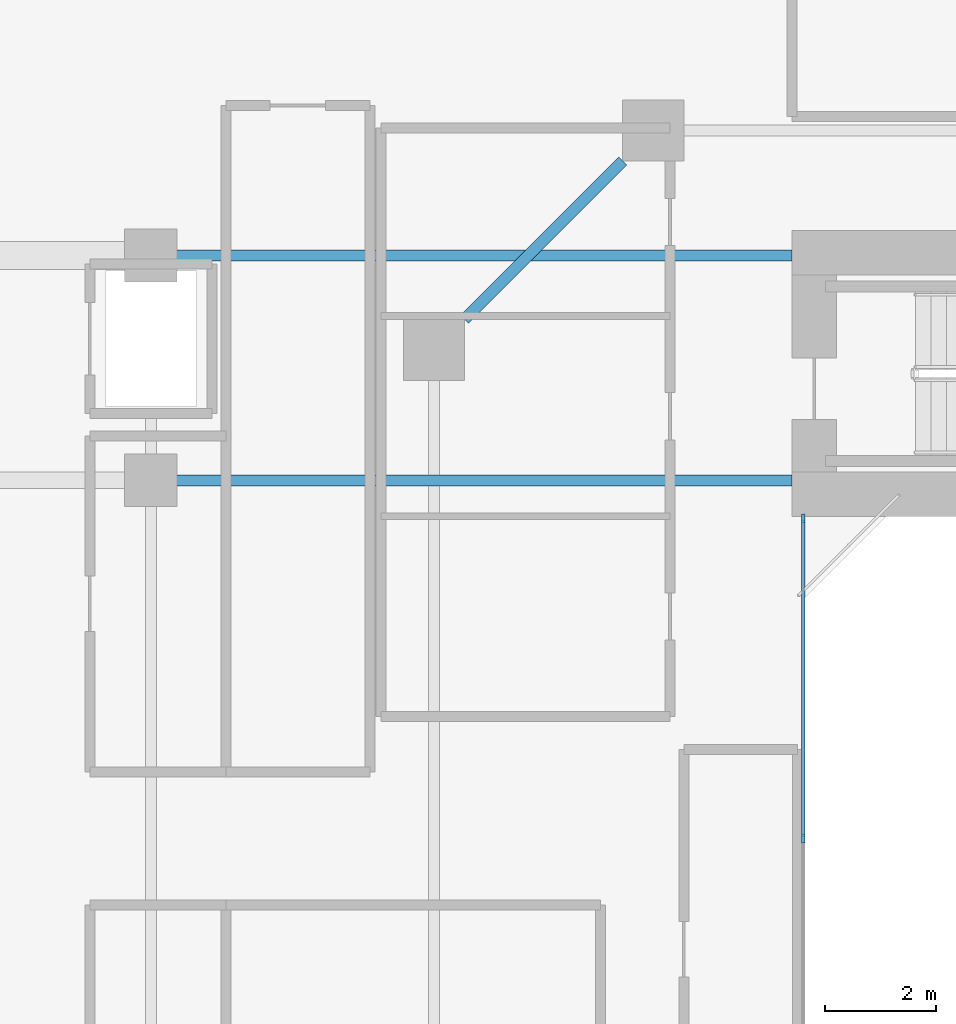
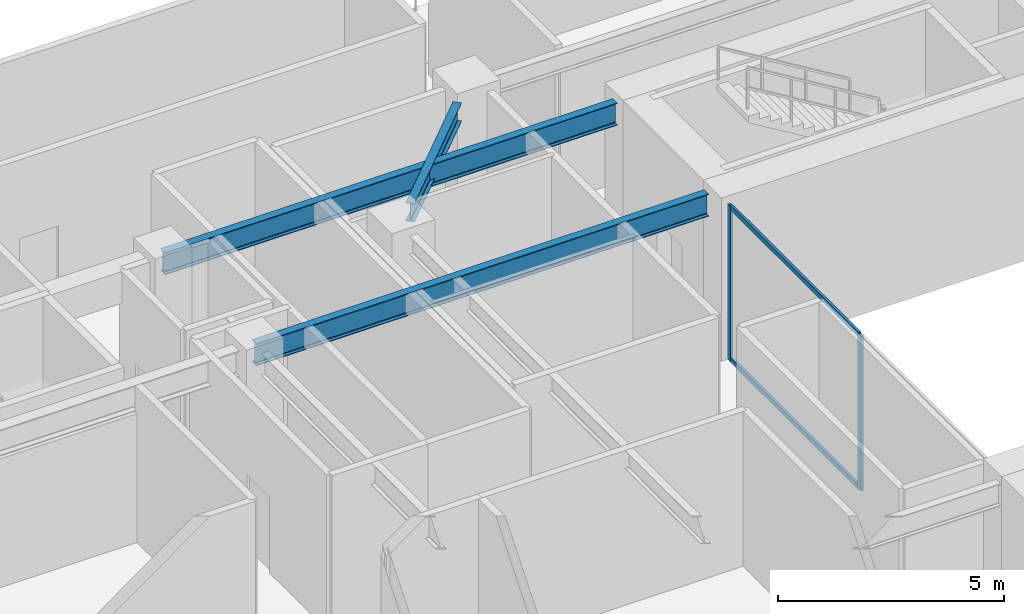
# One storey, part 6 of 19: 4 members, 3 beams, 1 element without a shape of its own.
"""IFC4 building model written with IfcOpenShell, lengths in metres."""

from ifc_helpers import new_model, si_unit, direction, frame, origin, origin_2d, place, context, subcontext, project, spatial, rectangle, i_section, extrude, source, transform, mapped, material, layer, layer_set, material_profile, profile_set, type_object, element, aggregate, save


model = new_model("IFC4")

# Units and contexts
model_context = context("Model", 3, precision=1e-05, world=origin(), true_north=direction((0.0, 1.0)))
body_context = subcontext(model_context, "Body", "Model", "MODEL_VIEW")
ifc_project = project(units=[si_unit("LENGTHUNIT", "METRE"), si_unit("AREAUNIT", "SQUARE_METRE"), si_unit("VOLUMEUNIT", "CUBIC_METRE"), si_unit("PLANEANGLEUNIT", "RADIAN"), si_unit("MASSUNIT", "GRAM", prefix="KILO"), si_unit("THERMODYNAMICTEMPERATUREUNIT", "KELVIN"), si_unit("POWERUNIT", "WATT")], contexts=[model_context])

# Site, building, storey
site_placement = place(None, origin())
site = spatial("IfcSite", under=ifc_project, at=site_placement, CompositionType="ELEMENT")
building_placement = place(site_placement, origin())
building = spatial("IfcBuilding", under=site, at=building_placement, Name="Qiaomeng Ring Towers", CompositionType="ELEMENT")
storey_placement = place(building_placement, frame((0.0, 0.0, 9.39990234375)))
storey = spatial("IfcBuildingStorey", under=building, at=storey_placement, Name="L02", CompositionType="ELEMENT", Elevation=9.39990234375)

# Beams
ifc_material_1 = material(Name="Steel Q355B", Category="steel")
ifc_material_profile_1 = material_profile(ifc_material_1, i_section(OverallWidth=0.199951171875, OverallDepth=0.5, WebThickness=0.010009765625, FlangeThickness=0.01611328125, FilletRadius=0.02001953125, at=origin_2d()), Name="HN 500x200x10x16")
ifc_profile_set_1 = profile_set([ifc_material_profile_1], Name="Steel Q355B")
beam_type_1 = type_object("IfcBeamType", Name="STR-BM-HN500", PredefinedType="BEAM", material=ifc_profile_set_1)
shared_shape_1 = source(origin(), body_context, "Body", "SweptSolid", [
    extrude(i_section(OverallWidth=0.199951171875, OverallDepth=0.5, WebThickness=0.010009765625, FlangeThickness=0.01611328125, FilletRadius=0.02001953125, at=origin_2d()), origin(), (0.0, 0.0, 1.0), 4.032470703125),
])
beam_placement = place(storey_placement, frame((51.150634765625, 35.20068359375, 3.93017578125), z_axis=(-0.707106781187, -0.707106781187, 0.0), x_axis=(0.707106781187, -0.707106781187, 0.0)))
element("IfcBeam", 1, at=beam_placement, inside=storey, type_object=beam_type_1, Name="L02 beam STR-SP-L02-T2-6", PredefinedType="BEAM", context=body_context, shape_type="MappedRepresentation", body=[
    mapped(shared_shape_1, transform((0.0, 0.0, 0.0), x_axis=(1.0, 0.0, 0.0), y_axis=(0.0, 1.0, 0.0), z_axis=(0.0, 0.0, 1.0), scale=1.0)),
])
ifc_material_profile_2 = material_profile(ifc_material_1, i_section(OverallWidth=0.199951171875, OverallDepth=0.60009765625, WebThickness=0.010986328125, FlangeThickness=0.01708984375, FilletRadius=0.02197265625, at=origin_2d()), Name="HN 600x200x11x17")
ifc_profile_set_2 = profile_set([ifc_material_profile_2], Name="Steel Q355B")
beam_type_2 = type_object("IfcBeamType", Name="STR-BM-HN600", PredefinedType="BEAM", material=ifc_profile_set_2)
shared_shape_2 = source(origin(), body_context, "Body", "SweptSolid", [
    extrude(i_section(OverallWidth=0.199951171875, OverallDepth=0.60009765625, WebThickness=0.010986328125, FlangeThickness=0.01708984375, FilletRadius=0.02197265625, at=origin_2d()), origin(), (0.0, 0.0, 1.0), 11.550048828125),
])
for number, where, z_axis, x_axis, name in (
    (2, (42.64990234375, 29.449951171875, 3.880126953125), (1.0, 0.0, 0.0), (0.0, 1.0, 0.0), "L02 beam STR-BM-L02-M2-2"),
    (3, (42.64990234375, 33.5, 3.880126953125), (1.0, 0.0, 0.0), (0.0, 1.0, 0.0), "L02 beam STR-BM-L02-M2-3"),
):
    element("IfcBeam", number, at=place(storey_placement, frame(where, z_axis=z_axis, x_axis=x_axis)), inside=storey, type_object=beam_type_2, Name=name, PredefinedType="BEAM", context=body_context, shape_type="MappedRepresentation", body=[
        mapped(shared_shape_2, transform((0.0, 0.0, 0.0), x_axis=(1.0, 0.0, 0.0), y_axis=(0.0, 1.0, 0.0), z_axis=(0.0, 0.0, 1.0), scale=1.0)),
    ])

# Curtain wall, members
ifc_material_2 = material(Name="Fluorocarbon dark-grey aluminium", Category="aluminium")
ifc_layer = layer(ifc_material_2, 0.139892578125, Name="Fluorocarbon dark-grey aluminium")
ifc_layer_set = layer_set([ifc_layer], Name="Fluorocarbon dark-grey aluminium")
curtain_wall_type = type_object("IfcCurtainWallType", Name="ARC-CW-4", PredefinedType="NOTDEFINED", material=ifc_layer_set)
curtain_wall_placement = place(storey_placement, origin())
curtain_wall = element("IfcCurtainWall", 4, at=curtain_wall_placement, inside=storey, type_object=curtain_wall_type, Name="L02 Curtain Wall CW4", PredefinedType="NOTDEFINED")
ifc_material_profile_3 = material_profile(ifc_material_2, rectangle(XDim=0.06494140625, YDim=0.1298828125, at=origin_2d()), Name="ALU TRAN 65x130")
ifc_profile_set_3 = profile_set([ifc_material_profile_3], Name="Fluorocarbon dark-grey aluminium")
member_type_1 = type_object("IfcMemberType", Name="ARC-CWT-120", PredefinedType="USERDEFINED", material=ifc_profile_set_3)
shared_shape_3 = source(origin(), body_context, "Body", "SweptSolid", [
    extrude(rectangle(XDim=0.06494140625, YDim=0.1298828125, at=origin_2d()), origin(), (0.0, 0.0, 1.0), 5.70263671875),
])
member_1_placement = place(storey_placement, frame((54.39990234375, 23.032470703125, 0.03271484375), z_axis=(0.0, 1.0, 0.0), x_axis=(-1.0, 0.0, 0.0)))
member_1 = element("IfcMember", 5, at=member_1_placement, type_object=member_type_1, Name="CW4 transom 2.1", ObjectType="TRANSOM", PredefinedType="USERDEFINED", context=body_context, shape_type="MappedRepresentation", body=[
    mapped(shared_shape_3, transform((0.0, 0.0, 0.0), x_axis=(1.0, 0.0, 0.0), y_axis=(0.0, 1.0, 0.0), z_axis=(0.0, 0.0, 1.0), scale=1.0)),
])
member_2_placement = place(storey_placement, frame((54.39990234375, 23.032470703125, 4.147705078125), z_axis=(0.0, 1.0, 0.0), x_axis=(-1.0, 0.0, 0.0)))
member_2 = element("IfcMember", 6, at=member_2_placement, type_object=member_type_1, Name="CW4 transom 2.2", ObjectType="TRANSOM", PredefinedType="USERDEFINED", context=body_context, shape_type="MappedRepresentation", body=[
    mapped(shared_shape_3, transform((0.0, 0.0, 0.0), x_axis=(1.0, 0.0, 0.0), y_axis=(0.0, 1.0, 0.0), z_axis=(0.0, 0.0, 1.0), scale=1.0)),
])
ifc_material_profile_4 = material_profile(ifc_material_2, rectangle(XDim=0.06494140625, YDim=0.159912109375, at=origin_2d()), Name="ALU MULL 65x160")
ifc_profile_set_4 = profile_set([ifc_material_profile_4], Name="Fluorocarbon dark-grey aluminium")
member_type_2 = type_object("IfcMemberType", Name="ARC-CWM-140", PredefinedType="MULLION", material=ifc_profile_set_4)
shared_shape_4 = source(origin(), body_context, "Body", "SweptSolid", [
    extrude(rectangle(XDim=0.06494140625, YDim=0.159912109375, at=origin_2d()), origin(), (0.0, 0.0, 1.0), 4.18017578125),
])
member_3_placement = place(storey_placement, frame((54.39990234375, 23.0, 0.0), z_axis=(0.0, 0.0, 1.0), x_axis=(-1.0, 0.0, 0.0)))
member_3 = element("IfcMember", 7, at=member_3_placement, type_object=member_type_2, Name="CW4 mullion 2", PredefinedType="MULLION", context=body_context, shape_type="MappedRepresentation", body=[
    mapped(shared_shape_4, transform((0.0, 0.0, 0.0), x_axis=(1.0, 0.0, 0.0), y_axis=(0.0, 1.0, 0.0), z_axis=(0.0, 0.0, 1.0), scale=1.0)),
])
member_4_placement = place(storey_placement, frame((54.39990234375, 28.767578125, 0.0), z_axis=(0.0, 0.0, 1.0), x_axis=(-1.0, 0.0, 0.0)))
member_4 = element("IfcMember", 8, at=member_4_placement, type_object=member_type_2, Name="CW4 mullion 3", PredefinedType="MULLION", context=body_context, shape_type="MappedRepresentation", body=[
    mapped(shared_shape_4, transform((0.0, 0.0, 0.0), x_axis=(1.0, 0.0, 0.0), y_axis=(0.0, 1.0, 0.0), z_axis=(0.0, 0.0, 1.0), scale=1.0)),
])
aggregate(curtain_wall, [member_3, member_4, member_1, member_2])

save(model, "model.ifc")
